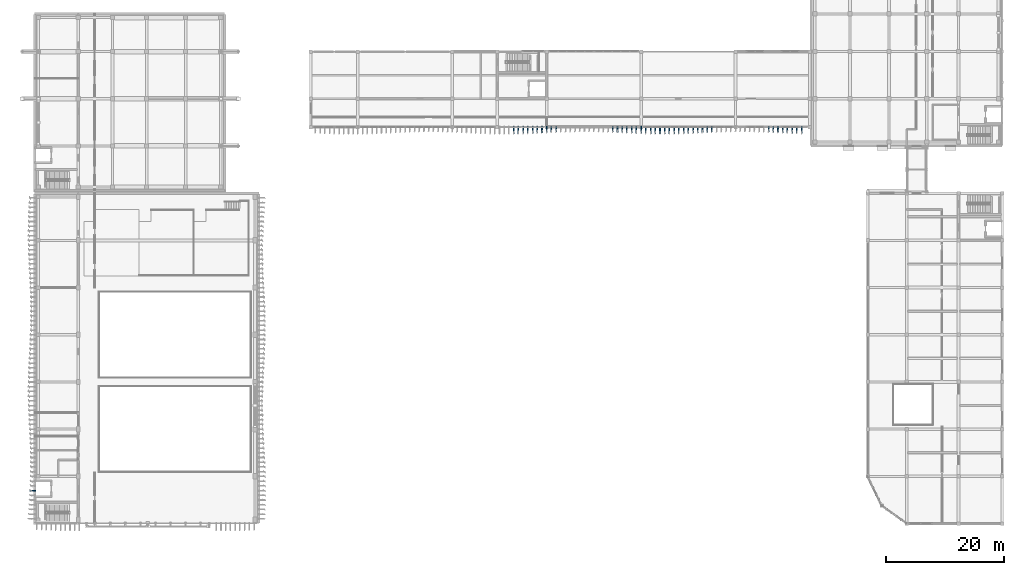
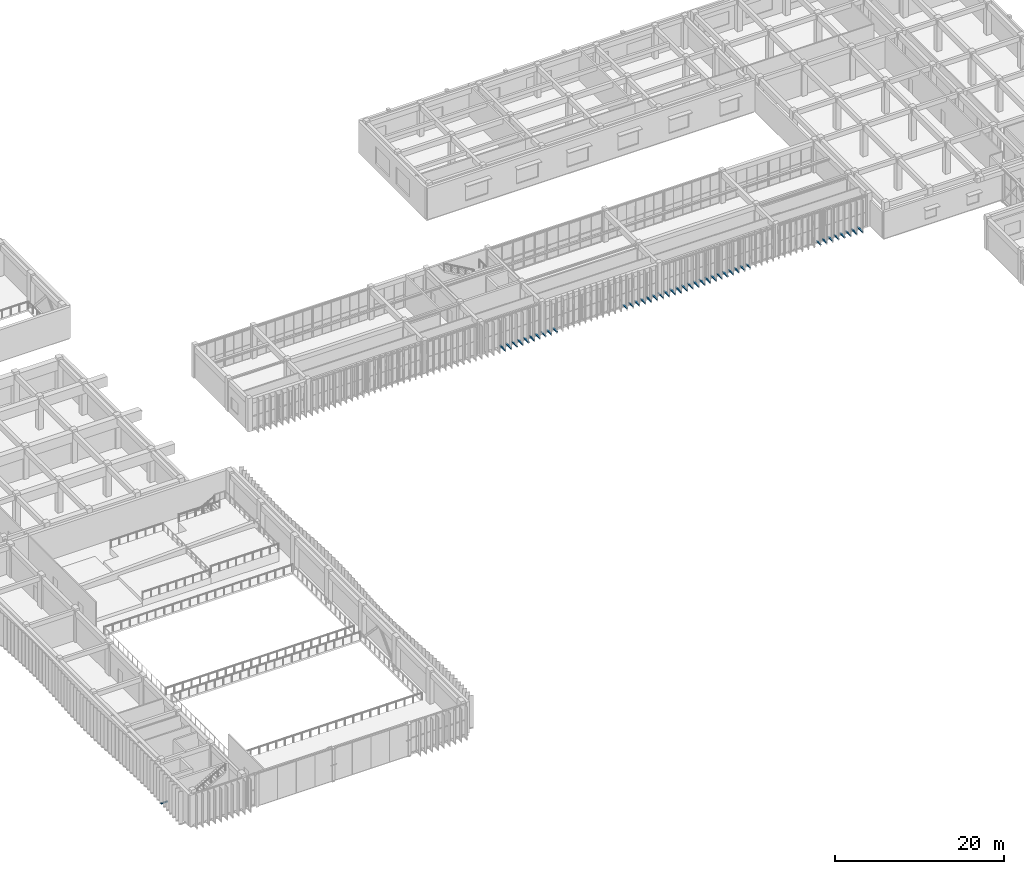
# One storey, part 49 of 64: 41 discrete accessories.
"""IFC4 building model written with IfcOpenShell, lengths in metres."""

from ifc_helpers import new_model, si_unit, direction, frame, origin, origin_2d, place, context, subcontext, project, spatial, rectangle, extrude, material, type_object, element, save


model = new_model("IFC4")

# Units and contexts
model_context = context("Model", 3, precision=1e-05, world=origin(), true_north=direction((0.0, 1.0)))
body_context = subcontext(model_context, "Body", "Model", "MODEL_VIEW")
ifc_project = project(units=[si_unit("LENGTHUNIT", "METRE"), si_unit("AREAUNIT", "SQUARE_METRE"), si_unit("VOLUMEUNIT", "CUBIC_METRE"), si_unit("PLANEANGLEUNIT", "RADIAN"), si_unit("MASSUNIT", "GRAM", prefix="KILO")], contexts=[model_context])

# Site, building, storey
site_placement = place(None, origin())
site = spatial("IfcSite", under=ifc_project, at=site_placement, CompositionType="ELEMENT")
building_placement = place(site_placement, origin())
building = spatial("IfcBuilding", under=site, at=building_placement, Name="Cinchona Park Media Centre", CompositionType="ELEMENT")
storey_placement = place(building_placement, frame((0.0, 0.0, 5.39990234375)))
storey = spatial("IfcBuildingStorey", under=building, at=storey_placement, Name="L01", CompositionType="ELEMENT", Elevation=5.39990234375)

# Discrete accessories
ifc_material = material(Name="Steel S355", Category="steel")
discrete_accessory_type = type_object("IfcDiscreteAccessoryType", Name="BRACKET-BRK01", PredefinedType="BRACKET", material=ifc_material)
discrete_accessory_1_placement = place(storey_placement, frame((7.68994140625, 13.199951171875, 0.0400390625), z_axis=(0.0, 0.0, 1.0), x_axis=(0.0, -1.0, 0.0)))
element("IfcDiscreteAccessory", 1, at=discrete_accessory_1_placement, inside=storey, type_object=discrete_accessory_type, Name="Facade Fin Outrigger Bracket L01", PredefinedType="BRACKET", context=body_context, shape_type="SweptSolid", body=[
    extrude(rectangle(XDim=0.179931640625, YDim=0.93994140625, at=origin_2d()), origin(), (0.0, 0.0, 1.0), 0.159912109375),
])
discrete_accessory_2_placement = place(storey_placement, frame((89.199951171875, 74.322998046875, 0.0400390625), z_axis=(0.0, 0.0, 1.0), x_axis=(1.0, 0.0, 0.0)))
element("IfcDiscreteAccessory", 2, at=discrete_accessory_2_placement, inside=storey, type_object=discrete_accessory_type, Name="Facade Fin Outrigger Bracket L01", PredefinedType="BRACKET", context=body_context, shape_type="SweptSolid", body=[
    extrude(rectangle(XDim=0.179931640625, YDim=1.27392578125, at=origin_2d()), origin(), (0.0, 0.0, 1.0), 0.159912109375),
])
discrete_accessory_3_placement = place(storey_placement, frame((90.0, 74.3291015625, 0.0400390625), z_axis=(0.0, 0.0, 1.0), x_axis=(1.0, 0.0, 0.0)))
element("IfcDiscreteAccessory", 3, at=discrete_accessory_3_placement, inside=storey, type_object=discrete_accessory_type, Name="Facade Fin Outrigger Bracket L01", PredefinedType="BRACKET", context=body_context, shape_type="SweptSolid", body=[
    extrude(rectangle(XDim=0.179931640625, YDim=1.260986328125, at=origin_2d()), origin(), (0.0, 0.0, 1.0), 0.159912109375),
])
discrete_accessory_4_placement = place(storey_placement, frame((90.800048828125, 74.339111328125, 0.0400390625), z_axis=(0.0, 0.0, 1.0), x_axis=(1.0, 0.0, 0.0)))
element("IfcDiscreteAccessory", 4, at=discrete_accessory_4_placement, inside=storey, type_object=discrete_accessory_type, Name="Facade Fin Outrigger Bracket L01", PredefinedType="BRACKET", context=body_context, shape_type="SweptSolid", body=[
    extrude(rectangle(XDim=0.179931640625, YDim=1.240966796875, at=origin_2d()), origin(), (0.0, 0.0, 1.0), 0.159912109375),
])
discrete_accessory_5_placement = place(storey_placement, frame((91.60009765625, 74.35302734375, 0.0400390625), z_axis=(0.0, 0.0, 1.0), x_axis=(1.0, 0.0, 0.0)))
element("IfcDiscreteAccessory", 5, at=discrete_accessory_5_placement, inside=storey, type_object=discrete_accessory_type, Name="Facade Fin Outrigger Bracket L01", PredefinedType="BRACKET", context=body_context, shape_type="SweptSolid", body=[
    extrude(rectangle(XDim=0.179931640625, YDim=1.215087890625, at=origin_2d()), origin(), (0.0, 0.0, 1.0), 0.159912109375),
])
discrete_accessory_6_placement = place(storey_placement, frame((92.39990234375, 74.367919921875, 0.0400390625), z_axis=(0.0, 0.0, 1.0), x_axis=(1.0, 0.0, 0.0)))
element("IfcDiscreteAccessory", 6, at=discrete_accessory_6_placement, inside=storey, type_object=discrete_accessory_type, Name="Facade Fin Outrigger Bracket L01", PredefinedType="BRACKET", context=body_context, shape_type="SweptSolid", body=[
    extrude(rectangle(XDim=0.179931640625, YDim=1.18408203125, at=origin_2d()), origin(), (0.0, 0.0, 1.0), 0.159912109375),
])
discrete_accessory_7_placement = place(storey_placement, frame((93.199951171875, 74.385986328125, 0.0400390625), z_axis=(0.0, 0.0, 1.0), x_axis=(1.0, 0.0, 0.0)))
element("IfcDiscreteAccessory", 7, at=discrete_accessory_7_placement, inside=storey, type_object=discrete_accessory_type, Name="Facade Fin Outrigger Bracket L01", PredefinedType="BRACKET", context=body_context, shape_type="SweptSolid", body=[
    extrude(rectangle(XDim=0.179931640625, YDim=1.14794921875, at=origin_2d()), origin(), (0.0, 0.0, 1.0), 0.159912109375),
])
discrete_accessory_8_placement = place(storey_placement, frame((94.0, 74.405029296875, 0.0400390625), z_axis=(0.0, 0.0, 1.0), x_axis=(1.0, 0.0, 0.0)))
element("IfcDiscreteAccessory", 8, at=discrete_accessory_8_placement, inside=storey, type_object=discrete_accessory_type, Name="Facade Fin Outrigger Bracket L01", PredefinedType="BRACKET", context=body_context, shape_type="SweptSolid", body=[
    extrude(rectangle(XDim=0.179931640625, YDim=1.110107421875, at=origin_2d()), origin(), (0.0, 0.0, 1.0), 0.159912109375),
])
discrete_accessory_9_placement = place(storey_placement, frame((94.800048828125, 74.425048828125, 0.0400390625), z_axis=(0.0, 0.0, 1.0), x_axis=(1.0, 0.0, 0.0)))
element("IfcDiscreteAccessory", 9, at=discrete_accessory_9_placement, inside=storey, type_object=discrete_accessory_type, Name="Facade Fin Outrigger Bracket L01", PredefinedType="BRACKET", context=body_context, shape_type="SweptSolid", body=[
    extrude(rectangle(XDim=0.179931640625, YDim=1.070068359375, at=origin_2d()), origin(), (0.0, 0.0, 1.0), 0.159912109375),
])
discrete_accessory_10_placement = place(storey_placement, frame((95.60009765625, 74.445068359375, 0.0400390625), z_axis=(0.0, 0.0, 1.0), x_axis=(1.0, 0.0, 0.0)))
element("IfcDiscreteAccessory", 10, at=discrete_accessory_10_placement, inside=storey, type_object=discrete_accessory_type, Name="Facade Fin Outrigger Bracket L01", PredefinedType="BRACKET", context=body_context, shape_type="SweptSolid", body=[
    extrude(rectangle(XDim=0.179931640625, YDim=1.030029296875, at=origin_2d()), origin(), (0.0, 0.0, 1.0), 0.159912109375),
])
discrete_accessory_11_placement = place(storey_placement, frame((96.39990234375, 74.464111328125, 0.0400390625), z_axis=(0.0, 0.0, 1.0), x_axis=(1.0, 0.0, 0.0)))
element("IfcDiscreteAccessory", 11, at=discrete_accessory_11_placement, inside=storey, type_object=discrete_accessory_type, Name="Facade Fin Outrigger Bracket L01", PredefinedType="BRACKET", context=body_context, shape_type="SweptSolid", body=[
    extrude(rectangle(XDim=0.179931640625, YDim=0.991943359375, at=origin_2d()), origin(), (0.0, 0.0, 1.0), 0.159912109375),
])
discrete_accessory_12_placement = place(storey_placement, frame((106.0, 74.472900390625, 0.0400390625), z_axis=(0.0, 0.0, 1.0), x_axis=(1.0, 0.0, 0.0)))
element("IfcDiscreteAccessory", 12, at=discrete_accessory_12_placement, inside=storey, type_object=discrete_accessory_type, Name="Facade Fin Outrigger Bracket L01", PredefinedType="BRACKET", context=body_context, shape_type="SweptSolid", body=[
    extrude(rectangle(XDim=0.179931640625, YDim=0.97412109375, at=origin_2d()), origin(), (0.0, 0.0, 1.0), 0.159912109375),
])
discrete_accessory_13_placement = place(storey_placement, frame((106.800048828125, 74.455078125, 0.0400390625), z_axis=(0.0, 0.0, 1.0), x_axis=(1.0, 0.0, 0.0)))
element("IfcDiscreteAccessory", 13, at=discrete_accessory_13_placement, inside=storey, type_object=discrete_accessory_type, Name="Facade Fin Outrigger Bracket L01", PredefinedType="BRACKET", context=body_context, shape_type="SweptSolid", body=[
    extrude(rectangle(XDim=0.179931640625, YDim=1.010986328125, at=origin_2d()), origin(), (0.0, 0.0, 1.0), 0.159912109375),
])
discrete_accessory_14_placement = place(storey_placement, frame((107.60009765625, 74.43505859375, 0.0400390625), z_axis=(0.0, 0.0, 1.0), x_axis=(1.0, 0.0, 0.0)))
element("IfcDiscreteAccessory", 14, at=discrete_accessory_14_placement, inside=storey, type_object=discrete_accessory_type, Name="Facade Fin Outrigger Bracket L01", PredefinedType="BRACKET", context=body_context, shape_type="SweptSolid", body=[
    extrude(rectangle(XDim=0.179931640625, YDim=1.050048828125, at=origin_2d()), origin(), (0.0, 0.0, 1.0), 0.159912109375),
])
discrete_accessory_15_placement = place(storey_placement, frame((108.39990234375, 74.4150390625, 0.0400390625), z_axis=(0.0, 0.0, 1.0), x_axis=(1.0, 0.0, 0.0)))
element("IfcDiscreteAccessory", 15, at=discrete_accessory_15_placement, inside=storey, type_object=discrete_accessory_type, Name="Facade Fin Outrigger Bracket L01", PredefinedType="BRACKET", context=body_context, shape_type="SweptSolid", body=[
    extrude(rectangle(XDim=0.179931640625, YDim=1.090087890625, at=origin_2d()), origin(), (0.0, 0.0, 1.0), 0.159912109375),
])
discrete_accessory_16_placement = place(storey_placement, frame((109.199951171875, 74.39501953125, 0.0400390625), z_axis=(0.0, 0.0, 1.0), x_axis=(1.0, 0.0, 0.0)))
element("IfcDiscreteAccessory", 16, at=discrete_accessory_16_placement, inside=storey, type_object=discrete_accessory_type, Name="Facade Fin Outrigger Bracket L01", PredefinedType="BRACKET", context=body_context, shape_type="SweptSolid", body=[
    extrude(rectangle(XDim=0.179931640625, YDim=1.12890625, at=origin_2d()), origin(), (0.0, 0.0, 1.0), 0.159912109375),
])
discrete_accessory_17_placement = place(storey_placement, frame((110.0, 74.376953125, 0.0400390625), z_axis=(0.0, 0.0, 1.0), x_axis=(1.0, 0.0, 0.0)))
element("IfcDiscreteAccessory", 17, at=discrete_accessory_17_placement, inside=storey, type_object=discrete_accessory_type, Name="Facade Fin Outrigger Bracket L01", PredefinedType="BRACKET", context=body_context, shape_type="SweptSolid", body=[
    extrude(rectangle(XDim=0.179931640625, YDim=1.166015625, at=origin_2d()), origin(), (0.0, 0.0, 1.0), 0.159912109375),
])
discrete_accessory_18_placement = place(storey_placement, frame((110.800048828125, 74.360107421875, 0.0400390625), z_axis=(0.0, 0.0, 1.0), x_axis=(1.0, 0.0, 0.0)))
element("IfcDiscreteAccessory", 18, at=discrete_accessory_18_placement, inside=storey, type_object=discrete_accessory_type, Name="Facade Fin Outrigger Bracket L01", PredefinedType="BRACKET", context=body_context, shape_type="SweptSolid", body=[
    extrude(rectangle(XDim=0.179931640625, YDim=1.199951171875, at=origin_2d()), origin(), (0.0, 0.0, 1.0), 0.159912109375),
])
discrete_accessory_19_placement = place(storey_placement, frame((111.60009765625, 74.345947265625, 0.0400390625), z_axis=(0.0, 0.0, 1.0), x_axis=(1.0, 0.0, 0.0)))
element("IfcDiscreteAccessory", 19, at=discrete_accessory_19_placement, inside=storey, type_object=discrete_accessory_type, Name="Facade Fin Outrigger Bracket L01", PredefinedType="BRACKET", context=body_context, shape_type="SweptSolid", body=[
    extrude(rectangle(XDim=0.179931640625, YDim=1.22900390625, at=origin_2d()), origin(), (0.0, 0.0, 1.0), 0.159912109375),
])
discrete_accessory_20_placement = place(storey_placement, frame((112.39990234375, 74.333984375, 0.0400390625), z_axis=(0.0, 0.0, 1.0), x_axis=(1.0, 0.0, 0.0)))
element("IfcDiscreteAccessory", 20, at=discrete_accessory_20_placement, inside=storey, type_object=discrete_accessory_type, Name="Facade Fin Outrigger Bracket L01", PredefinedType="BRACKET", context=body_context, shape_type="SweptSolid", body=[
    extrude(rectangle(XDim=0.179931640625, YDim=1.251953125, at=origin_2d()), origin(), (0.0, 0.0, 1.0), 0.159912109375),
])
discrete_accessory_21_placement = place(storey_placement, frame((113.199951171875, 74.325927734375, 0.0400390625), z_axis=(0.0, 0.0, 1.0), x_axis=(1.0, 0.0, 0.0)))
element("IfcDiscreteAccessory", 21, at=discrete_accessory_21_placement, inside=storey, type_object=discrete_accessory_type, Name="Facade Fin Outrigger Bracket L01", PredefinedType="BRACKET", context=body_context, shape_type="SweptSolid", body=[
    extrude(rectangle(XDim=0.179931640625, YDim=1.26806640625, at=origin_2d()), origin(), (0.0, 0.0, 1.0), 0.159912109375),
])
discrete_accessory_22_placement = place(storey_placement, frame((114.0, 74.321044921875, 0.0400390625), z_axis=(0.0, 0.0, 1.0), x_axis=(1.0, 0.0, 0.0)))
element("IfcDiscreteAccessory", 22, at=discrete_accessory_22_placement, inside=storey, type_object=discrete_accessory_type, Name="Facade Fin Outrigger Bracket L01", PredefinedType="BRACKET", context=body_context, shape_type="SweptSolid", body=[
    extrude(rectangle(XDim=0.179931640625, YDim=1.278076171875, at=origin_2d()), origin(), (0.0, 0.0, 1.0), 0.159912109375),
])
discrete_accessory_23_placement = place(storey_placement, frame((114.800048828125, 74.320068359375, 0.0400390625), z_axis=(0.0, 0.0, 1.0), x_axis=(1.0, 0.0, 0.0)))
element("IfcDiscreteAccessory", 23, at=discrete_accessory_23_placement, inside=storey, type_object=discrete_accessory_type, Name="Facade Fin Outrigger Bracket L01", PredefinedType="BRACKET", context=body_context, shape_type="SweptSolid", body=[
    extrude(rectangle(XDim=0.179931640625, YDim=1.280029296875, at=origin_2d()), origin(), (0.0, 0.0, 1.0), 0.159912109375),
])
discrete_accessory_24_placement = place(storey_placement, frame((115.60009765625, 74.322998046875, 0.0400390625), z_axis=(0.0, 0.0, 1.0), x_axis=(1.0, 0.0, 0.0)))
element("IfcDiscreteAccessory", 24, at=discrete_accessory_24_placement, inside=storey, type_object=discrete_accessory_type, Name="Facade Fin Outrigger Bracket L01", PredefinedType="BRACKET", context=body_context, shape_type="SweptSolid", body=[
    extrude(rectangle(XDim=0.179931640625, YDim=1.27392578125, at=origin_2d()), origin(), (0.0, 0.0, 1.0), 0.159912109375),
])
discrete_accessory_25_placement = place(storey_placement, frame((116.39990234375, 74.3291015625, 0.0400390625), z_axis=(0.0, 0.0, 1.0), x_axis=(1.0, 0.0, 0.0)))
element("IfcDiscreteAccessory", 25, at=discrete_accessory_25_placement, inside=storey, type_object=discrete_accessory_type, Name="Facade Fin Outrigger Bracket L01", PredefinedType="BRACKET", context=body_context, shape_type="SweptSolid", body=[
    extrude(rectangle(XDim=0.179931640625, YDim=1.260986328125, at=origin_2d()), origin(), (0.0, 0.0, 1.0), 0.159912109375),
])
discrete_accessory_26_placement = place(storey_placement, frame((117.199951171875, 74.339111328125, 0.0400390625), z_axis=(0.0, 0.0, 1.0), x_axis=(1.0, 0.0, 0.0)))
element("IfcDiscreteAccessory", 26, at=discrete_accessory_26_placement, inside=storey, type_object=discrete_accessory_type, Name="Facade Fin Outrigger Bracket L01", PredefinedType="BRACKET", context=body_context, shape_type="SweptSolid", body=[
    extrude(rectangle(XDim=0.179931640625, YDim=1.240966796875, at=origin_2d()), origin(), (0.0, 0.0, 1.0), 0.159912109375),
])
discrete_accessory_27_placement = place(storey_placement, frame((118.0, 74.35302734375, 0.0400390625), z_axis=(0.0, 0.0, 1.0), x_axis=(1.0, 0.0, 0.0)))
element("IfcDiscreteAccessory", 27, at=discrete_accessory_27_placement, inside=storey, type_object=discrete_accessory_type, Name="Facade Fin Outrigger Bracket L01", PredefinedType="BRACKET", context=body_context, shape_type="SweptSolid", body=[
    extrude(rectangle(XDim=0.179931640625, YDim=1.215087890625, at=origin_2d()), origin(), (0.0, 0.0, 1.0), 0.159912109375),
])
discrete_accessory_28_placement = place(storey_placement, frame((118.800048828125, 74.367919921875, 0.0400390625), z_axis=(0.0, 0.0, 1.0), x_axis=(1.0, 0.0, 0.0)))
element("IfcDiscreteAccessory", 28, at=discrete_accessory_28_placement, inside=storey, type_object=discrete_accessory_type, Name="Facade Fin Outrigger Bracket L01", PredefinedType="BRACKET", context=body_context, shape_type="SweptSolid", body=[
    extrude(rectangle(XDim=0.179931640625, YDim=1.18408203125, at=origin_2d()), origin(), (0.0, 0.0, 1.0), 0.159912109375),
])
discrete_accessory_29_placement = place(storey_placement, frame((119.60009765625, 74.385986328125, 0.0400390625), z_axis=(0.0, 0.0, 1.0), x_axis=(1.0, 0.0, 0.0)))
element("IfcDiscreteAccessory", 29, at=discrete_accessory_29_placement, inside=storey, type_object=discrete_accessory_type, Name="Facade Fin Outrigger Bracket L01", PredefinedType="BRACKET", context=body_context, shape_type="SweptSolid", body=[
    extrude(rectangle(XDim=0.179931640625, YDim=1.14794921875, at=origin_2d()), origin(), (0.0, 0.0, 1.0), 0.159912109375),
])
discrete_accessory_30_placement = place(storey_placement, frame((120.39990234375, 74.405029296875, 0.0400390625), z_axis=(0.0, 0.0, 1.0), x_axis=(1.0, 0.0, 0.0)))
element("IfcDiscreteAccessory", 30, at=discrete_accessory_30_placement, inside=storey, type_object=discrete_accessory_type, Name="Facade Fin Outrigger Bracket L01", PredefinedType="BRACKET", context=body_context, shape_type="SweptSolid", body=[
    extrude(rectangle(XDim=0.179931640625, YDim=1.110107421875, at=origin_2d()), origin(), (0.0, 0.0, 1.0), 0.159912109375),
])
discrete_accessory_31_placement = place(storey_placement, frame((121.199951171875, 74.425048828125, 0.0400390625), z_axis=(0.0, 0.0, 1.0), x_axis=(1.0, 0.0, 0.0)))
element("IfcDiscreteAccessory", 31, at=discrete_accessory_31_placement, inside=storey, type_object=discrete_accessory_type, Name="Facade Fin Outrigger Bracket L01", PredefinedType="BRACKET", context=body_context, shape_type="SweptSolid", body=[
    extrude(rectangle(XDim=0.179931640625, YDim=1.070068359375, at=origin_2d()), origin(), (0.0, 0.0, 1.0), 0.159912109375),
])
discrete_accessory_32_placement = place(storey_placement, frame((122.0, 74.445068359375, 0.0400390625), z_axis=(0.0, 0.0, 1.0), x_axis=(1.0, 0.0, 0.0)))
element("IfcDiscreteAccessory", 32, at=discrete_accessory_32_placement, inside=storey, type_object=discrete_accessory_type, Name="Facade Fin Outrigger Bracket L01", PredefinedType="BRACKET", context=body_context, shape_type="SweptSolid", body=[
    extrude(rectangle(XDim=0.179931640625, YDim=1.030029296875, at=origin_2d()), origin(), (0.0, 0.0, 1.0), 0.159912109375),
])
discrete_accessory_33_placement = place(storey_placement, frame((122.800048828125, 74.464111328125, 0.0400390625), z_axis=(0.0, 0.0, 1.0), x_axis=(1.0, 0.0, 0.0)))
element("IfcDiscreteAccessory", 33, at=discrete_accessory_33_placement, inside=storey, type_object=discrete_accessory_type, Name="Facade Fin Outrigger Bracket L01", PredefinedType="BRACKET", context=body_context, shape_type="SweptSolid", body=[
    extrude(rectangle(XDim=0.179931640625, YDim=0.991943359375, at=origin_2d()), origin(), (0.0, 0.0, 1.0), 0.159912109375),
])
discrete_accessory_34_placement = place(storey_placement, frame((132.39990234375, 74.472900390625, 0.0400390625), z_axis=(0.0, 0.0, 1.0), x_axis=(1.0, 0.0, 0.0)))
element("IfcDiscreteAccessory", 34, at=discrete_accessory_34_placement, inside=storey, type_object=discrete_accessory_type, Name="Facade Fin Outrigger Bracket L01", PredefinedType="BRACKET", context=body_context, shape_type="SweptSolid", body=[
    extrude(rectangle(XDim=0.179931640625, YDim=0.97412109375, at=origin_2d()), origin(), (0.0, 0.0, 1.0), 0.159912109375),
])
discrete_accessory_35_placement = place(storey_placement, frame((133.199951171875, 74.455078125, 0.0400390625), z_axis=(0.0, 0.0, 1.0), x_axis=(1.0, 0.0, 0.0)))
element("IfcDiscreteAccessory", 35, at=discrete_accessory_35_placement, inside=storey, type_object=discrete_accessory_type, Name="Facade Fin Outrigger Bracket L01", PredefinedType="BRACKET", context=body_context, shape_type="SweptSolid", body=[
    extrude(rectangle(XDim=0.179931640625, YDim=1.010986328125, at=origin_2d()), origin(), (0.0, 0.0, 1.0), 0.159912109375),
])
discrete_accessory_36_placement = place(storey_placement, frame((134.0, 74.43505859375, 0.0400390625), z_axis=(0.0, 0.0, 1.0), x_axis=(1.0, 0.0, 0.0)))
element("IfcDiscreteAccessory", 36, at=discrete_accessory_36_placement, inside=storey, type_object=discrete_accessory_type, Name="Facade Fin Outrigger Bracket L01", PredefinedType="BRACKET", context=body_context, shape_type="SweptSolid", body=[
    extrude(rectangle(XDim=0.179931640625, YDim=1.050048828125, at=origin_2d()), origin(), (0.0, 0.0, 1.0), 0.159912109375),
])
discrete_accessory_37_placement = place(storey_placement, frame((134.800048828125, 74.4150390625, 0.0400390625), z_axis=(0.0, 0.0, 1.0), x_axis=(1.0, 0.0, 0.0)))
element("IfcDiscreteAccessory", 37, at=discrete_accessory_37_placement, inside=storey, type_object=discrete_accessory_type, Name="Facade Fin Outrigger Bracket L01", PredefinedType="BRACKET", context=body_context, shape_type="SweptSolid", body=[
    extrude(rectangle(XDim=0.179931640625, YDim=1.090087890625, at=origin_2d()), origin(), (0.0, 0.0, 1.0), 0.159912109375),
])
discrete_accessory_38_placement = place(storey_placement, frame((135.60009765625, 74.39501953125, 0.0400390625), z_axis=(0.0, 0.0, 1.0), x_axis=(1.0, 0.0, 0.0)))
element("IfcDiscreteAccessory", 38, at=discrete_accessory_38_placement, inside=storey, type_object=discrete_accessory_type, Name="Facade Fin Outrigger Bracket L01", PredefinedType="BRACKET", context=body_context, shape_type="SweptSolid", body=[
    extrude(rectangle(XDim=0.179931640625, YDim=1.12890625, at=origin_2d()), origin(), (0.0, 0.0, 1.0), 0.159912109375),
])
discrete_accessory_39_placement = place(storey_placement, frame((136.39990234375, 74.376953125, 0.0400390625), z_axis=(0.0, 0.0, 1.0), x_axis=(1.0, 0.0, 0.0)))
element("IfcDiscreteAccessory", 39, at=discrete_accessory_39_placement, inside=storey, type_object=discrete_accessory_type, Name="Facade Fin Outrigger Bracket L01", PredefinedType="BRACKET", context=body_context, shape_type="SweptSolid", body=[
    extrude(rectangle(XDim=0.179931640625, YDim=1.166015625, at=origin_2d()), origin(), (0.0, 0.0, 1.0), 0.159912109375),
])
discrete_accessory_40_placement = place(storey_placement, frame((137.199951171875, 74.360107421875, 0.0400390625), z_axis=(0.0, 0.0, 1.0), x_axis=(1.0, 0.0, 0.0)))
element("IfcDiscreteAccessory", 40, at=discrete_accessory_40_placement, inside=storey, type_object=discrete_accessory_type, Name="Facade Fin Outrigger Bracket L01", PredefinedType="BRACKET", context=body_context, shape_type="SweptSolid", body=[
    extrude(rectangle(XDim=0.179931640625, YDim=1.199951171875, at=origin_2d()), origin(), (0.0, 0.0, 1.0), 0.159912109375),
])
discrete_accessory_41_placement = place(storey_placement, frame((138.0, 74.345947265625, 0.0400390625), z_axis=(0.0, 0.0, 1.0), x_axis=(1.0, 0.0, 0.0)))
element("IfcDiscreteAccessory", 41, at=discrete_accessory_41_placement, inside=storey, type_object=discrete_accessory_type, Name="Facade Fin Outrigger Bracket L01", PredefinedType="BRACKET", context=body_context, shape_type="SweptSolid", body=[
    extrude(rectangle(XDim=0.179931640625, YDim=1.22900390625, at=origin_2d()), origin(), (0.0, 0.0, 1.0), 0.159912109375),
])

save(model, "model.ifc")
